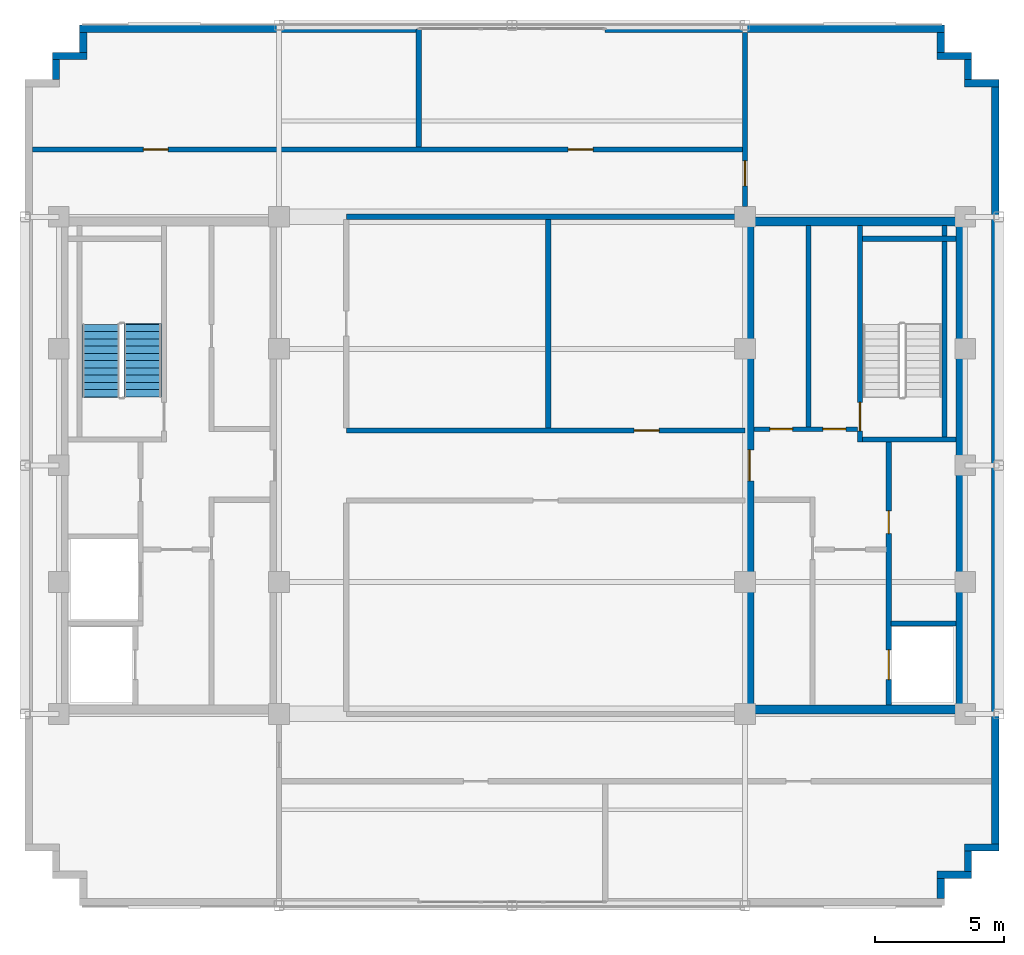
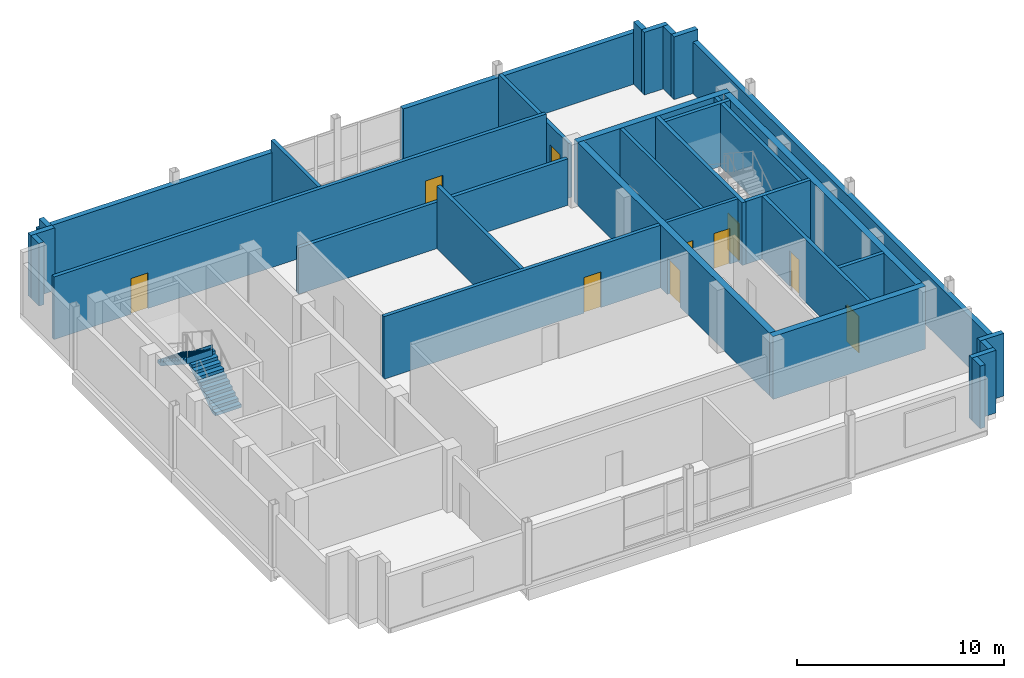
# One storey, part 3 of 10: 32 walls, 10 doors, 2 stair flights, 10 openings, 1 element without a shape of its own.
"""IFC4 building model written with IfcOpenShell, lengths in metres."""

from ifc_helpers import new_model, si_unit, direction, frame, frame_2d, origin, place, context, subcontext, project, spatial, polyline, rectangle, outline, extrude, source, transform, mapped, material, layer, layer_set, type_object, type_shapes, element, fill, aggregate, save


model = new_model("IFC4")

# Units and contexts
model_context = context("Model", 3, precision=1e-05, world=origin(), true_north=direction((0.0, 1.0)))
body_context = subcontext(model_context, "Body", "Model", "MODEL_VIEW")
ifc_project = project(units=[si_unit("LENGTHUNIT", "METRE"), si_unit("AREAUNIT", "SQUARE_METRE"), si_unit("VOLUMEUNIT", "CUBIC_METRE"), si_unit("PLANEANGLEUNIT", "RADIAN"), si_unit("MASSUNIT", "GRAM", prefix="KILO")], contexts=[model_context])

# Site, building, storey
site_placement = place(None, origin())
site = spatial("IfcSite", under=ifc_project, at=site_placement, CompositionType="ELEMENT")
building_placement = place(site_placement, origin())
building = spatial("IfcBuilding", under=site, at=building_placement, Name="Nuvemarco Arch Tower", CompositionType="ELEMENT")
storey_placement = place(building_placement, frame((0.0, 0.0, 295.14990234375)))
storey = spatial("IfcBuildingStorey", under=building, at=storey_placement, Name="L78", CompositionType="ELEMENT", Elevation=295.14990234375)

# Walls
ifc_material_1 = material(Name="Precast concrete C45/55", Category="concrete")
ifc_layer_1 = layer(ifc_material_1, 0.280029296875, Name="EW-CRN-280")
ifc_layer_set_1 = layer_set([ifc_layer_1], Name="Precast concrete C45/55")
wall_type_1 = type_object("IfcWallType", Name="EW-CRN-280", PredefinedType="STANDARD", material=ifc_layer_set_1)
wall_1_placement = place(storey_placement, frame((16.56005859375, -16.72412109375, 0.0), z_axis=(0.0, 0.0, 1.0), x_axis=(0.0, 1.0, 0.0)))
element("IfcWall", 1, at=wall_1_placement, inside=storey, type_object=wall_type_1, Name="L78 exterior precast facade wall 2", PredefinedType="STANDARD", context=body_context, shape_type="SweptSolid", body=[
    extrude(rectangle(XDim=0.778076171875, YDim=0.280029296875, at=frame_2d((0.38916015625, 0.0))), origin(), (0.0, 0.0, 1.0), 3.690185546875),
])
wall_2_placement = place(storey_placement, frame((16.419921875, -15.81005859375, 0.0), z_axis=(0.0, 0.0, 1.0), x_axis=(1.0, 0.0, 0.0)))
element("IfcWall", 2, at=wall_2_placement, inside=storey, type_object=wall_type_1, Name="L78 exterior precast facade wall 3", PredefinedType="STANDARD", context=body_context, shape_type="SweptSolid", body=[
    extrude(rectangle(XDim=1.330078125, YDim=0.280029296875, at=frame_2d((0.6650390625, 0.0))), origin(), (0.0, 0.0, 1.0), 3.690185546875),
])
wall_3_placement = place(storey_placement, frame((17.610107421875, -15.674072265625, 0.0), z_axis=(0.0, 0.0, 1.0), x_axis=(0.0, 1.0, 0.0)))
element("IfcWall", 3, at=wall_3_placement, inside=storey, type_object=wall_type_1, Name="L78 exterior precast facade wall 4", PredefinedType="STANDARD", context=body_context, shape_type="SweptSolid", body=[
    extrude(rectangle(XDim=0.778076171875, YDim=0.280029296875, at=frame_2d((0.38916015625, 0.0))), origin(), (0.0, 0.0, 1.0), 3.690185546875),
])
wall_4_placement = place(storey_placement, frame((17.469970703125, -14.760009765625, 0.0), z_axis=(0.0, 0.0, 1.0), x_axis=(1.0, 0.0, 0.0)))
element("IfcWall", 4, at=wall_4_placement, inside=storey, type_object=wall_type_1, Name="L78 exterior precast facade wall 5", PredefinedType="STANDARD", context=body_context, shape_type="SweptSolid", body=[
    extrude(rectangle(XDim=1.330078125, YDim=0.280029296875, at=frame_2d((0.6650390625, 0.0))), origin(), (0.0, 0.0, 1.0), 3.690185546875),
])
wall_5_placement = place(storey_placement, frame((18.659912109375, -14.6240234375, 0.0), z_axis=(0.0, 0.0, 1.0), x_axis=(0.0, 1.0, 0.0)))
element("IfcWall", 5, at=wall_5_placement, inside=storey, type_object=wall_type_1, Name="L78 exterior precast facade wall 6", PredefinedType="STANDARD", context=body_context, shape_type="SweptSolid", body=[
    extrude(rectangle(XDim=29.248046875, YDim=0.280029296875, at=frame_2d((14.6240234375, 0.0))), origin(), (0.0, 0.0, 1.0), 3.03515625),
])
wall_6_placement = place(storey_placement, frame((17.469970703125, 14.760009765625, 0.0), z_axis=(0.0, 0.0, 1.0), x_axis=(1.0, 0.0, 0.0)))
element("IfcWall", 6, at=wall_6_placement, inside=storey, type_object=wall_type_1, Name="L78 exterior precast facade wall 7", PredefinedType="STANDARD", context=body_context, shape_type="SweptSolid", body=[
    extrude(rectangle(XDim=1.330078125, YDim=0.280029296875, at=frame_2d((0.6650390625, 0.0))), origin(), (0.0, 0.0, 1.0), 3.690185546875),
])
wall_7_placement = place(storey_placement, frame((17.610107421875, 14.89599609375, 0.0), z_axis=(0.0, 0.0, 1.0), x_axis=(0.0, 1.0, 0.0)))
element("IfcWall", 7, at=wall_7_placement, inside=storey, type_object=wall_type_1, Name="L78 exterior precast facade wall 8", PredefinedType="STANDARD", context=body_context, shape_type="SweptSolid", body=[
    extrude(rectangle(XDim=0.778076171875, YDim=0.280029296875, at=frame_2d((0.38916015625, 0.0))), origin(), (0.0, 0.0, 1.0), 3.690185546875),
])
wall_8_placement = place(storey_placement, frame((16.419921875, 15.81005859375, 0.0), z_axis=(0.0, 0.0, 1.0), x_axis=(1.0, 0.0, 0.0)))
element("IfcWall", 8, at=wall_8_placement, inside=storey, type_object=wall_type_1, Name="L78 exterior precast facade wall 9", PredefinedType="STANDARD", context=body_context, shape_type="SweptSolid", body=[
    extrude(rectangle(XDim=1.330078125, YDim=0.280029296875, at=frame_2d((0.6650390625, 0.0))), origin(), (0.0, 0.0, 1.0), 3.690185546875),
])
wall_9_placement = place(storey_placement, frame((16.56005859375, 15.946044921875, 0.0), z_axis=(0.0, 0.0, 1.0), x_axis=(0.0, 1.0, 0.0)))
element("IfcWall", 9, at=wall_9_placement, inside=storey, type_object=wall_type_1, Name="L78 exterior precast facade wall 10", PredefinedType="STANDARD", context=body_context, shape_type="SweptSolid", body=[
    extrude(rectangle(XDim=0.778076171875, YDim=0.280029296875, at=frame_2d((0.38916015625, 0.0))), origin(), (0.0, 0.0, 1.0), 3.690185546875),
])
for number, where, z_axis, x_axis, name in (
    (10, (-16.699951171875, 16.860107421875, 0.0), (0.0, 0.0, 1.0), (1.0, 0.0, 0.0), "L78 exterior precast pier wall north left"),
    (11, (3.60009765625, 16.860107421875, 0.0), (0.0, 0.0, 1.0), (1.0, 0.0, 0.0), "L78 exterior precast pier wall north right"),
):
    element("IfcWall", number, at=place(storey_placement, frame(where, z_axis=z_axis, x_axis=x_axis)), inside=storey, type_object=wall_type_1, Name=name, PredefinedType="STANDARD", context=body_context, shape_type="SweptSolid", body=[
        extrude(rectangle(XDim=13.099853515625, YDim=0.280029296875, at=frame_2d((6.5498046875, 0.0))), origin(), (0.0, 0.0, 1.0), 3.03515625),
    ])
wall_10_placement = place(storey_placement, frame((-16.56005859375, 15.946044921875, 0.0), z_axis=(0.0, 0.0, 1.0), x_axis=(0.0, 1.0, 0.0)))
element("IfcWall", 12, at=wall_10_placement, inside=storey, type_object=wall_type_1, Name="L78 exterior precast facade wall 12", PredefinedType="STANDARD", context=body_context, shape_type="SweptSolid", body=[
    extrude(rectangle(XDim=0.778076171875, YDim=0.280029296875, at=frame_2d((0.38916015625, 0.0))), origin(), (0.0, 0.0, 1.0), 3.690185546875),
])
wall_11_placement = place(storey_placement, frame((-17.75, 15.81005859375, 0.0), z_axis=(0.0, 0.0, 1.0), x_axis=(1.0, 0.0, 0.0)))
element("IfcWall", 13, at=wall_11_placement, inside=storey, type_object=wall_type_1, Name="L78 exterior precast facade wall 13", PredefinedType="STANDARD", context=body_context, shape_type="SweptSolid", body=[
    extrude(rectangle(XDim=1.330078125, YDim=0.280029296875, at=frame_2d((0.6650390625, 0.0))), origin(), (0.0, 0.0, 1.0), 3.690185546875),
])
wall_12_placement = place(storey_placement, frame((-17.610107421875, 14.89599609375, 0.0), z_axis=(0.0, 0.0, 1.0), x_axis=(0.0, 1.0, 0.0)))
element("IfcWall", 14, at=wall_12_placement, inside=storey, type_object=wall_type_1, Name="L78 exterior precast facade wall 14", PredefinedType="STANDARD", context=body_context, shape_type="SweptSolid", body=[
    extrude(rectangle(XDim=0.778076171875, YDim=0.280029296875, at=frame_2d((0.38916015625, 0.0))), origin(), (0.0, 0.0, 1.0), 3.690185546875),
])
ifc_material_2 = material(Name="Concrete C50/60", Category="concrete")
ifc_layer_2 = layer(ifc_material_2, 0.35009765625, Name="WL-CORE-350")
ifc_layer_set_2 = layer_set([ifc_layer_2], Name="Concrete C50/60")
wall_type_2 = type_object("IfcWallType", Name="WL-CORE-350", PredefinedType="SHEAR", material=ifc_layer_set_2)
for number, where, z_axis, x_axis, name in (
    (15, (9.0, -9.425048828125, 0.0), (0.0, 0.0, 1.0), (1.0, 0.0, 0.0), "L78 E-core shear wall S"),
    (16, (9.0, 9.425048828125, 0.0), (0.0, 0.0, 1.0), (1.0, 0.0, 0.0), "L78 E-core shear wall N"),
):
    element("IfcWall", number, at=place(storey_placement, frame(where, z_axis=z_axis, x_axis=x_axis)), inside=storey, type_object=wall_type_2, Name=name, PredefinedType="SHEAR", context=body_context, shape_type="SweptSolid", body=[
        extrude(rectangle(XDim=8.5, YDim=0.35009765625, at=frame_2d((4.25, 0.0))), origin(), (0.0, 0.0, 1.0), 3.7001953125),
    ])

# Wall, opening, door
wall_13_placement = place(storey_placement, frame((9.175048828125, -9.2548828125, 0.0), z_axis=(0.0, 0.0, 1.0), x_axis=(0.0, 1.0, 0.0)))
wall_13 = element("IfcWall", 17, at=wall_13_placement, inside=storey, type_object=wall_type_2, Name="L78 E-core shear wall W", PredefinedType="SHEAR", context=body_context, shape_type="SweptSolid", body=[
    extrude(rectangle(XDim=18.509765625, YDim=0.35009765625, at=frame_2d((9.2548828125, 0.0))), origin(), (0.0, 0.0, 1.0), 3.7001953125),
])
opening_1_placement = place(wall_13_placement, frame((8.655029296875, 0.0, 0.0)))
opening_1 = element("IfcOpeningElement", 18, at=opening_1_placement, cuts=wall_13, Name="Opening FD-2", PredefinedType="OPENING", context=body_context, shape_type="SweptSolid", body=[
    extrude(rectangle(XDim=1.199951171875, YDim=2.14990234375, at=frame_2d((0.60009765625, 1.074951171875))), frame((0.0, 0.18505859375, 0.0), z_axis=(0.0, -1.0, 0.0), x_axis=(1.0, 0.0, 0.0)), (0.0, 0.0, 1.0), 0.3701171875),
])
ifc_material_3 = material(Name="Anodised steel fire door", Category="steel")
door_type_1 = type_object("IfcDoorType", Name="DR-FFLOB-FD", OperationType="NOTDEFINED", PredefinedType="DOOR", material=ifc_material_3)
shared_shape_1 = source(origin(), body_context, "Body", "SweptSolid", [
    extrude(rectangle(XDim=1.199951171875, YDim=2.14990234375, at=frame_2d((0.60009765625, 1.074951171875))), frame((0.0, 0.02490234375, 0.0), z_axis=(0.0, -1.0, 0.0), x_axis=(1.0, 0.0, 0.0)), (0.0, 0.0, 1.0), 0.050048828125),
])
type_shapes(door_type_1, [shared_shape_1])
door_1_placement = place(opening_1_placement, origin())
door_1 = element("IfcDoor", 19, at=door_1_placement, inside=storey, type_object=door_type_1, Name="L78 door FD-L78-ECORE-W", OperationType="SINGLE_SWING_LEFT", OverallHeight=2.14990234375, OverallWidth=1.199951171875, PredefinedType="DOOR", context=body_context, shape_type="MappedRepresentation", body=[
    mapped(shared_shape_1, transform((0.0, 0.0, 0.0), scale=1.0)),
])
fill(opening_1, door_1)

# Wall
wall_14_placement = place(storey_placement, frame((17.324951171875, -9.2548828125, 0.0), z_axis=(0.0, 0.0, 1.0), x_axis=(0.0, 1.0, 0.0)))
element("IfcWall", 20, at=wall_14_placement, inside=storey, type_object=wall_type_2, Name="L78 E-core shear wall E", PredefinedType="SHEAR", context=body_context, shape_type="SweptSolid", body=[
    extrude(rectangle(XDim=18.509765625, YDim=0.35009765625, at=frame_2d((9.2548828125, 0.0))), origin(), (0.0, 0.0, 1.0), 3.7001953125),
])

# Wall, openings, doors
ifc_material_4 = material(Name="Fire-rated gypsum drywall partition")
ifc_layer_3 = layer(ifc_material_4, 0.179931640625, Name="WL-CORR-180")
ifc_layer_set_3 = layer_set([ifc_layer_3], Name="Fire-rated gypsum drywall partition")
wall_type_3 = type_object("IfcWallType", Name="WL-CORR-180", PredefinedType="PARTITIONING", material=ifc_layer_set_3)
wall_15_placement = place(storey_placement, frame((9.344970703125, 1.39990234375, 0.0), z_axis=(0.0, 0.0, 1.0), x_axis=(1.0, 0.0, 0.0)))
wall_15 = element("IfcWall", 21, at=wall_15_placement, inside=storey, type_object=wall_type_3, Name="L78 interior wall IW-L78-EK-S", PredefinedType="PARTITIONING", context=body_context, shape_type="SweptSolid", body=[
    extrude(rectangle(XDim=4.0, YDim=0.179931640625, at=frame_2d((2.0, 0.0))), origin(), (0.0, 0.0, 1.0), 3.690185546875),
])
opening_2_placement = place(wall_15_placement, frame((0.614990234375, 0.0, 0.0)))
opening_2 = element("IfcOpeningElement", 22, at=opening_2_placement, cuts=wall_15, Name="Opening FD-4", PredefinedType="OPENING", context=body_context, shape_type="SweptSolid", body=[
    extrude(rectangle(XDim=0.8798828125, YDim=2.10009765625, at=frame_2d((0.43994140625, 1.050048828125))), frame((0.0, 0.099853515625, 0.0), z_axis=(0.0, -1.0, 0.0), x_axis=(1.0, 0.0, 0.0)), (0.0, 0.0, 1.0), 0.199951171875),
])
opening_3_placement = place(wall_15_placement, frame((2.6650390625, 0.0, 0.0)))
opening_3 = element("IfcOpeningElement", 23, at=opening_3_placement, cuts=wall_15, Name="Opening FD-4", PredefinedType="OPENING", context=body_context, shape_type="SweptSolid", body=[
    extrude(rectangle(XDim=0.8798828125, YDim=2.10009765625, at=frame_2d((0.43994140625, 1.050048828125))), frame((0.0, 0.099853515625, 0.0), z_axis=(0.0, -1.0, 0.0), x_axis=(1.0, 0.0, 0.0)), (0.0, 0.0, 1.0), 0.199951171875),
])
door_type_2 = type_object("IfcDoorType", Name="DR-RISER-FD", OperationType="NOTDEFINED", PredefinedType="DOOR", material=ifc_material_3)
shared_shape_2 = source(origin(), body_context, "Body", "SweptSolid", [
    extrude(rectangle(XDim=0.8798828125, YDim=2.10009765625, at=frame_2d((0.43994140625, 1.050048828125))), frame((0.0, 0.02490234375, 0.0), z_axis=(0.0, -1.0, 0.0), x_axis=(1.0, 0.0, 0.0)), (0.0, 0.0, 1.0), 0.050048828125),
])
type_shapes(door_type_2, [shared_shape_2])
door_2_placement = place(opening_2_placement, origin())
door_2 = element("IfcDoor", 24, at=door_2_placement, inside=storey, type_object=door_type_2, Name="L78 door FD-L78-EK2A", OperationType="SINGLE_SWING_RIGHT", OverallHeight=2.10009765625, OverallWidth=0.8798828125, PredefinedType="DOOR", context=body_context, shape_type="MappedRepresentation", body=[
    mapped(shared_shape_2, transform((0.0, 0.0, 0.0), scale=1.0)),
])
fill(opening_2, door_2)
door_3_placement = place(opening_3_placement, origin())
door_3 = element("IfcDoor", 25, at=door_3_placement, inside=storey, type_object=door_type_2, Name="L78 door FD-L78-EK2B", OperationType="SINGLE_SWING_LEFT", OverallHeight=2.10009765625, OverallWidth=0.8798828125, PredefinedType="DOOR", context=body_context, shape_type="MappedRepresentation", body=[
    mapped(shared_shape_2, transform((0.0, 0.0, 0.0), scale=1.0)),
])
fill(opening_3, door_3)

# Wall
wall_16_placement = place(storey_placement, frame((11.449951171875, 1.489990234375, 0.0), z_axis=(0.0, 0.0, 1.0), x_axis=(0.0, 1.0, 0.0)))
element("IfcWall", 26, at=wall_16_placement, inside=storey, type_object=wall_type_3, Name="L78 interior wall IW-L78-EK2", PredefinedType="PARTITIONING", context=body_context, shape_type="SweptSolid", body=[
    extrude(rectangle(XDim=7.764892578125, YDim=0.179931640625, at=frame_2d((3.88232421875, 0.0))), origin(), (0.0, 0.0, 1.0), 3.690185546875),
])

# Wall, opening, door
ifc_layer_4 = layer(ifc_material_1, 0.199951171875, Name="WL-PLANT-200")
ifc_layer_set_4 = layer_set([ifc_layer_4], Name="Precast concrete C45/55")
wall_type_4 = type_object("IfcWallType", Name="WL-PLANT-200", PredefinedType="STANDARD", material=ifc_layer_set_4)
wall_17_placement = place(storey_placement, frame((-6.39990234375, 1.35009765625, 0.0), z_axis=(0.0, 0.0, 1.0), x_axis=(1.0, 0.0, 0.0)))
wall_17 = element("IfcWall", 27, at=wall_17_placement, inside=storey, type_object=wall_type_4, Name="L78 interior wall IW-L78-004", PredefinedType="STANDARD", context=body_context, shape_type="SweptSolid", body=[
    extrude(rectangle(XDim=15.39990234375, YDim=0.199951171875, at=frame_2d((7.699951171875, 0.0))), origin(), (0.0, 0.0, 1.0), 3.690185546875),
])
opening_4_placement = place(wall_17_placement, frame((11.1201171875, 0.0, 0.0)))
opening_4 = element("IfcOpeningElement", 28, at=opening_4_placement, cuts=wall_17, Name="Opening FD-5", PredefinedType="OPENING", context=body_context, shape_type="SweptSolid", body=[
    extrude(rectangle(XDim=0.9599609375, YDim=2.10009765625, at=frame_2d((0.47998046875, 1.050048828125))), frame((0.0, 0.10986328125, 0.0), z_axis=(0.0, -1.0, 0.0), x_axis=(1.0, 0.0, 0.0)), (0.0, 0.0, 1.0), 0.219970703125),
])
ifc_material_5 = material(Name="Timber fire door", Category="wood")
door_type_3 = type_object("IfcDoorType", Name="DR-CORR-FD", OperationType="NOTDEFINED", PredefinedType="DOOR", material=ifc_material_5)
shared_shape_3 = source(origin(), body_context, "Body", "SweptSolid", [
    extrude(rectangle(XDim=0.9599609375, YDim=2.10009765625, at=frame_2d((0.47998046875, 1.050048828125))), frame((0.0, 0.02490234375, 0.0), z_axis=(0.0, -1.0, 0.0), x_axis=(1.0, 0.0, 0.0)), (0.0, 0.0, 1.0), 0.050048828125),
])
type_shapes(door_type_3, [shared_shape_3])
door_4_placement = place(opening_4_placement, origin())
door_4 = element("IfcDoor", 29, at=door_4_placement, inside=storey, type_object=door_type_3, Name="L78 door DR-L78-CRN_PUMP2", OperationType="SINGLE_SWING_RIGHT", OverallHeight=2.10009765625, OverallWidth=0.9599609375, PredefinedType="DOOR", context=body_context, shape_type="MappedRepresentation", body=[
    mapped(shared_shape_3, transform((0.0, 0.0, 0.0), scale=1.0)),
])
fill(opening_4, door_4)

# Wall
wall_18_placement = place(storey_placement, frame((-6.39990234375, 9.60009765625, 0.0), z_axis=(0.0, 0.0, 1.0), x_axis=(1.0, 0.0, 0.0)))
element("IfcWall", 30, at=wall_18_placement, inside=storey, type_object=wall_type_4, Name="L78 interior wall IW-L78-005", PredefinedType="STANDARD", context=body_context, shape_type="SweptSolid", body=[
    extrude(rectangle(XDim=15.00390625, YDim=0.199951171875, at=frame_2d((7.501953125, 0.0))), origin(), (0.0, 0.0, 1.0), 2.735107421875),
])

# Wall, openings, doors
wall_19_placement = place(storey_placement, frame((-18.52001953125, 12.199951171875, 0.0), z_axis=(0.0, 0.0, 1.0), x_axis=(1.0, 0.0, 0.0)))
wall_19 = element("IfcWall", 31, at=wall_19_placement, inside=storey, type_object=wall_type_4, Name="L78 interior wall IW-L78-006", PredefinedType="STANDARD", context=body_context, shape_type="SweptSolid", body=[
    extrude(rectangle(XDim=27.424072265625, YDim=0.199951171875, at=frame_2d((13.7119140625, 0.0))), origin(), (0.0, 0.0, 1.0), 3.690185546875),
])
opening_5_placement = place(wall_19_placement, frame((20.69189453125, 0.0, 0.0)))
opening_5 = element("IfcOpeningElement", 32, at=opening_5_placement, cuts=wall_19, Name="Opening FD-5", PredefinedType="OPENING", context=body_context, shape_type="SweptSolid", body=[
    extrude(rectangle(XDim=0.9599609375, YDim=2.10009765625, at=frame_2d((0.47998046875, 1.050048828125))), frame((0.0, 0.10986328125, 0.0), z_axis=(0.0, -1.0, 0.0), x_axis=(1.0, 0.0, 0.0)), (0.0, 0.0, 1.0), 0.219970703125),
])
opening_6_placement = place(wall_19_placement, frame((4.280029296875, 0.0, 0.0)))
opening_6 = element("IfcOpeningElement", 33, at=opening_6_placement, cuts=wall_19, Name="Opening FD-5", PredefinedType="OPENING", context=body_context, shape_type="SweptSolid", body=[
    extrude(rectangle(XDim=0.9599609375, YDim=2.10009765625, at=frame_2d((0.47998046875, 1.050048828125))), frame((0.0, 0.10986328125, 0.0), z_axis=(0.0, -1.0, 0.0), x_axis=(1.0, 0.0, 0.0)), (0.0, 0.0, 1.0), 0.219970703125),
])
door_5_placement = place(opening_5_placement, origin())
door_5 = element("IfcDoor", 34, at=door_5_placement, inside=storey, type_object=door_type_3, Name="L78 door DR-L78-CRN_N2", OperationType="SINGLE_SWING_RIGHT", OverallHeight=2.10009765625, OverallWidth=0.9599609375, PredefinedType="DOOR", context=body_context, shape_type="MappedRepresentation", body=[
    mapped(shared_shape_3, transform((0.0, 0.0, 0.0), scale=1.0)),
])
fill(opening_5, door_5)
door_6_placement = place(opening_6_placement, origin())
door_6 = element("IfcDoor", 35, at=door_6_placement, inside=storey, type_object=door_type_3, Name="L78 door DR-L78-CRN_N1", OperationType="SINGLE_SWING_RIGHT", OverallHeight=2.10009765625, OverallWidth=0.9599609375, PredefinedType="DOOR", context=body_context, shape_type="MappedRepresentation", body=[
    mapped(shared_shape_3, transform((0.0, 0.0, 0.0), scale=1.0)),
])
fill(opening_6, door_6)

# Walls
wall_20_placement = place(storey_placement, frame((-3.60009765625, 12.2958984375, 0.0), z_axis=(0.0, 0.0, 1.0), x_axis=(0.0, 1.0, 0.0)))
element("IfcWall", 36, at=wall_20_placement, inside=storey, type_object=wall_type_4, Name="L78 interior wall IW-L78-010", PredefinedType="STANDARD", context=body_context, shape_type="SweptSolid", body=[
    extrude(rectangle(XDim=4.549072265625, YDim=0.199951171875, at=frame_2d((2.2744140625, 0.0))), origin(), (0.0, 0.0, 1.0), 3.690185546875),
])
wall_21_placement = place(storey_placement, frame((1.39990234375, 1.446044921875, 0.0), z_axis=(0.0, 0.0, 1.0), x_axis=(0.0, 1.0, 0.0)))
element("IfcWall", 37, at=wall_21_placement, inside=storey, type_object=wall_type_4, Name="L78 interior wall IW-L78-011", PredefinedType="STANDARD", context=body_context, shape_type="SweptSolid", body=[
    extrude(rectangle(XDim=8.057861328125, YDim=0.199951171875, at=frame_2d((4.02880859375, 0.0))), origin(), (0.0, 0.0, 1.0), 3.690185546875),
])

# Wall, opening, door
wall_22_placement = place(storey_placement, frame((9.0, 9.99609375, 0.0), z_axis=(0.0, 0.0, 1.0), x_axis=(0.0, 1.0, 0.0)))
wall_22 = element("IfcWall", 38, at=wall_22_placement, inside=storey, type_object=wall_type_4, Name="L78 interior wall IW-L78-013", PredefinedType="STANDARD", context=body_context, shape_type="SweptSolid", body=[
    extrude(rectangle(XDim=6.723876953125, YDim=0.199951171875, at=frame_2d((3.36181640625, 0.0))), origin(), (0.0, 0.0, 1.0), 3.22216796875),
])
opening_7_placement = place(wall_22_placement, frame((0.800048828125, 0.0, 0.0)))
opening_7 = element("IfcOpeningElement", 39, at=opening_7_placement, cuts=wall_22, Name="Opening FD-5", PredefinedType="OPENING", context=body_context, shape_type="SweptSolid", body=[
    extrude(rectangle(XDim=0.9599609375, YDim=2.10009765625, at=frame_2d((0.47998046875, 1.050048828125))), frame((0.0, 0.10986328125, 0.0), z_axis=(0.0, -1.0, 0.0), x_axis=(1.0, 0.0, 0.0)), (0.0, 0.0, 1.0), 0.219970703125),
])
door_7_placement = place(opening_7_placement, origin())
door_7 = element("IfcDoor", 40, at=door_7_placement, inside=storey, type_object=door_type_3, Name="L78 door DR-L78-CRN_NE", OperationType="SINGLE_SWING_LEFT", OverallHeight=2.10009765625, OverallWidth=0.9599609375, PredefinedType="DOOR", context=body_context, shape_type="MappedRepresentation", body=[
    mapped(shared_shape_3, transform((0.0, 0.0, 0.0), scale=1.0)),
])
fill(opening_7, door_7)

ifc_layer_5 = layer(ifc_material_2, 0.199951171875, Name="WL-SHAFT-220")
ifc_layer_set_5 = layer_set([ifc_layer_5], Name="Concrete C50/60")
wall_type_5 = type_object("IfcWallType", Name="WL-SHAFT-220", PredefinedType="SHEAR", material=ifc_layer_set_5)
wall_23_placement = place(storey_placement, frame((13.43994140625, 0.89990234375, 0.0), z_axis=(0.0, 0.0, 1.0), x_axis=(0.0, 1.0, 0.0)))
wall_23 = element("IfcWall", 41, at=wall_23_placement, inside=storey, type_object=wall_type_5, Name="L78 structural shaft wall SW-L78-E-ST2W", PredefinedType="SHEAR", context=body_context, shape_type="SweptSolid", body=[
    extrude(rectangle(XDim=8.35498046875, YDim=0.199951171875, at=frame_2d((4.177490234375, 0.0))), origin(), (0.0, 0.0, 1.0), 3.7001953125),
])
opening_8_placement = place(wall_23_placement, frame((0.429931640625, 0.0, 0.0)))
opening_8 = element("IfcOpeningElement", 42, at=opening_8_placement, cuts=wall_23, Name="Opening FD-1", PredefinedType="OPENING", context=body_context, shape_type="SweptSolid", body=[
    extrude(rectangle(XDim=1.10009765625, YDim=2.14990234375, at=frame_2d((0.550048828125, 1.074951171875))), frame((0.0, 0.10986328125, 0.0), z_axis=(0.0, -1.0, 0.0), x_axis=(1.0, 0.0, 0.0)), (0.0, 0.0, 1.0), 0.219970703125),
])
door_type_4 = type_object("IfcDoorType", Name="DR-STAIR-FD", OperationType="NOTDEFINED", PredefinedType="DOOR", material=ifc_material_3)
shared_shape_4 = source(origin(), body_context, "Body", "SweptSolid", [
    extrude(rectangle(XDim=1.10009765625, YDim=2.14990234375, at=frame_2d((0.550048828125, 1.074951171875))), frame((0.0, 0.02490234375, 0.0), z_axis=(0.0, -1.0, 0.0), x_axis=(1.0, 0.0, 0.0)), (0.0, 0.0, 1.0), 0.050048828125),
])
type_shapes(door_type_4, [shared_shape_4])
door_8_placement = place(opening_8_placement, origin())
door_8 = element("IfcDoor", 43, at=door_8_placement, inside=storey, type_object=door_type_4, Name="L78 door FD-L78-ST2", OperationType="SINGLE_SWING_RIGHT", OverallHeight=2.14990234375, OverallWidth=1.10009765625, PredefinedType="DOOR", context=body_context, shape_type="MappedRepresentation", body=[
    mapped(shared_shape_4, transform((0.0, 0.0, 0.0), scale=1.0)),
])
fill(opening_8, door_8)

# Walls
for number, where, z_axis, x_axis, name in (
    (44, (13.534912109375, 1.0, 0.0), (0.0, 0.0, 1.0), (1.0, 0.0, 0.0), "L78 structural shaft wall SW-L78-E-ST2S"),
    (45, (13.534912109375, 8.75, 0.0), (0.0, 0.0, 1.0), (1.0, 0.0, 0.0), "L78 structural shaft wall SW-L78-E-ST2N"),
):
    element("IfcWall", number, at=place(storey_placement, frame(where, z_axis=z_axis, x_axis=x_axis)), inside=storey, type_object=wall_type_5, Name=name, PredefinedType="SHEAR", context=body_context, shape_type="SweptSolid", body=[
        extrude(rectangle(XDim=3.6201171875, YDim=0.199951171875, at=frame_2d((1.81005859375, 0.0))), origin(), (0.0, 0.0, 1.0), 3.7001953125),
    ])
wall_24_placement = place(storey_placement, frame((16.699951171875, 1.094970703125, 0.0), z_axis=(0.0, 0.0, 1.0), x_axis=(0.0, 1.0, 0.0)))
element("IfcWall", 46, at=wall_24_placement, inside=storey, type_object=wall_type_5, Name="L78 structural shaft wall SW-L78-E-ST2E", PredefinedType="SHEAR", context=body_context, shape_type="SweptSolid", body=[
    extrude(rectangle(XDim=8.159912109375, YDim=0.199951171875, at=frame_2d((4.080078125, 0.0))), origin(), (0.0, 0.0, 1.0), 3.7001953125),
])

# Wall, openings, doors
wall_25_placement = place(storey_placement, frame((14.550048828125, -9.2548828125, 0.0), z_axis=(0.0, 0.0, 1.0), x_axis=(0.0, 1.0, 0.0)))
wall_25 = element("IfcWall", 47, at=wall_25_placement, inside=storey, type_object=wall_type_5, Name="L78 structural shaft wall SW-L78-E-SHW", PredefinedType="SHEAR", context=body_context, shape_type="SweptSolid", body=[
    extrude(rectangle(XDim=10.159912109375, YDim=0.199951171875, at=frame_2d((5.080078125, 0.0))), origin(), (0.0, 0.0, 1.0), 3.7001953125),
])
opening_9_placement = place(wall_25_placement, frame((6.614990234375, 0.0, 0.0)))
opening_9 = element("IfcOpeningElement", 48, at=opening_9_placement, cuts=wall_25, Name="Opening FD-4", PredefinedType="OPENING", context=body_context, shape_type="SweptSolid", body=[
    extrude(rectangle(XDim=0.8798828125, YDim=2.10009765625, at=frame_2d((0.43994140625, 1.050048828125))), frame((0.0, 0.10986328125, 0.0), z_axis=(0.0, -1.0, 0.0), x_axis=(1.0, 0.0, 0.0)), (0.0, 0.0, 1.0), 0.219970703125),
])
opening_10_placement = place(wall_25_placement, frame((0.97998046875, 0.0, 0.0)))
opening_10 = element("IfcOpeningElement", 49, at=opening_10_placement, cuts=wall_25, Name="Opening LD-2", PredefinedType="OPENING", context=body_context, shape_type="SweptSolid", body=[
    extrude(rectangle(XDim=1.14990234375, YDim=2.14990234375, at=frame_2d((0.574951171875, 1.074951171875))), frame((0.0, 0.10986328125, 0.0), z_axis=(0.0, -1.0, 0.0), x_axis=(1.0, 0.0, 0.0)), (0.0, 0.0, 1.0), 0.219970703125),
])
door_9_placement = place(opening_9_placement, origin())
door_9 = element("IfcDoor", 50, at=door_9_placement, inside=storey, type_object=door_type_2, Name="L78 door FD-L78-ERIS", OperationType="SINGLE_SWING_RIGHT", OverallHeight=2.10009765625, OverallWidth=0.8798828125, PredefinedType="DOOR", context=body_context, shape_type="MappedRepresentation", body=[
    mapped(shared_shape_2, transform((0.0, 0.0, 0.0), scale=1.0)),
])
fill(opening_9, door_9)
ifc_material_6 = material(Name="Stainless steel lift door", Category="steel")
door_type_5 = type_object("IfcDoorType", Name="DR-LIFT-FIRE", OperationType="DOUBLE_DOOR_SLIDING", PredefinedType="DOOR", material=ifc_material_6)
shared_shape_5 = source(origin(), body_context, "Body", "SweptSolid", [
    extrude(rectangle(XDim=1.14990234375, YDim=2.14990234375, at=frame_2d((0.574951171875, 1.074951171875))), frame((0.0, 0.02490234375, 0.0), z_axis=(0.0, -1.0, 0.0), x_axis=(1.0, 0.0, 0.0)), (0.0, 0.0, 1.0), 0.050048828125),
])
type_shapes(door_type_5, [shared_shape_5])
door_10_placement = place(opening_10_placement, origin())
door_10 = element("IfcDoor", 51, at=door_10_placement, inside=storey, type_object=door_type_5, Name="L78 Lift landing sliding door FFL-2", OperationType="DOUBLE_DOOR_SLIDING", OverallHeight=2.14990234375, OverallWidth=1.14990234375, PredefinedType="DOOR", context=body_context, shape_type="MappedRepresentation", body=[
    mapped(shared_shape_5, transform((0.0, 0.0, 0.0), scale=1.0)),
])
fill(opening_10, door_10)

# Wall
wall_26_placement = place(storey_placement, frame((14.64501953125, -6.10009765625, 0.0), z_axis=(0.0, 0.0, 1.0), x_axis=(1.0, 0.0, 0.0)))
element("IfcWall", 52, at=wall_26_placement, inside=storey, type_object=wall_type_5, Name="L78 structural shaft wall SW-L78-E-SH1", PredefinedType="SHEAR", context=body_context, shape_type="SweptSolid", body=[
    extrude(rectangle(XDim=2.510009765625, YDim=0.199951171875, at=frame_2d((1.2548828125, 0.0))), origin(), (0.0, 0.0, 1.0), 3.7001953125),
])

# Stair, stair flights
stair_type = type_object("IfcStairType", Name="ST-CORE-22R", PredefinedType="HALF_TURN_STAIR", material=ifc_material_1)
stair_placement = place(storey_placement, origin())
stair = element("IfcStair", 53, at=stair_placement, inside=storey, type_object=stair_type, Name="L78 Protected Exit Stair ST-1", PredefinedType="HALF_TURN_STAIR")
stair_flight_type = type_object("IfcStairFlightType", Name="SF-CORE-22R", PredefinedType="STRAIGHT", material=ifc_material_1)
stair_flight_1_placement = place(storey_placement, frame((-14.264892578125, 2.64990234375, 0.0), z_axis=(0.0, 0.0, 1.0), x_axis=(0.0, 1.0, 0.0)))
stair_flight_1 = element("IfcStairFlight", 54, at=stair_flight_1_placement, type_object=stair_flight_type, Name="ST-22R flight 1", NumberOfRisers=11, NumberOfTreads=10, PredefinedType="STRAIGHT", RiserHeight=0.181818182, TreadLength=0.28, context=body_context, shape_type="SweptSolid", body=[
    extrude(outline(polyline([(0.0, 0.0), (0.0, 0.181884765625), (0.280029296875, 0.181884765625), (0.280029296875, 0.363525390625), (0.56005859375, 0.363525390625), (0.56005859375, 0.54541015625), (0.840087890625, 0.54541015625), (0.840087890625, 0.727294921875), (1.1201171875, 0.727294921875), (1.1201171875, 0.9091796875), (1.39990234375, 0.9091796875), (1.39990234375, 1.0908203125), (1.679931640625, 1.0908203125), (1.679931640625, 1.272705078125), (1.9599609375, 1.272705078125), (1.9599609375, 1.45458984375), (2.239990234375, 1.45458984375), (2.239990234375, 1.636474609375), (2.52001953125, 1.636474609375), (2.52001953125, 1.818115234375), (2.800048828125, 1.818115234375), (2.800048828125, 2.0), (2.820068359375, 2.0), (2.820068359375, 1.62744140625), (0.313720703125, 0.0), (0.0, 0.0)])), frame((0.0, 0.72509765625, 0.0), z_axis=(0.0, -1.0, 0.0), x_axis=(1.0, 0.0, 0.0)), (0.0, 0.0, 1.0), 1.449951171875),
])
stair_flight_2_placement = place(storey_placement, frame((-15.875, 5.449951171875, 2.0), z_axis=(0.0, 0.0, 1.0), x_axis=(0.0, -1.0, 0.0)))
stair_flight_2 = element("IfcStairFlight", 55, at=stair_flight_2_placement, type_object=stair_flight_type, Name="ST-22R flight 2", NumberOfRisers=11, NumberOfTreads=10, PredefinedType="STRAIGHT", RiserHeight=0.181818182, TreadLength=0.28, context=body_context, shape_type="SweptSolid", body=[
    extrude(outline(polyline([(0.0, 0.0), (0.0, 0.181884765625), (0.280029296875, 0.181884765625), (0.280029296875, 0.363525390625), (0.56005859375, 0.363525390625), (0.56005859375, 0.54541015625), (0.840087890625, 0.54541015625), (0.840087890625, 0.727294921875), (1.1201171875, 0.727294921875), (1.1201171875, 0.9091796875), (1.39990234375, 0.9091796875), (1.39990234375, 1.0908203125), (1.679931640625, 1.0908203125), (1.679931640625, 1.272705078125), (1.9599609375, 1.272705078125), (1.9599609375, 1.45458984375), (2.239990234375, 1.45458984375), (2.239990234375, 1.636474609375), (2.52001953125, 1.636474609375), (2.52001953125, 1.818115234375), (2.800048828125, 1.818115234375), (2.800048828125, 2.0), (2.820068359375, 2.0), (2.820068359375, 1.62744140625), (0.313720703125, 0.0), (0.0, 0.0)])), frame((0.0, 0.72509765625, 0.0), z_axis=(0.0, -1.0, 0.0), x_axis=(1.0, 0.0, 0.0)), (0.0, 0.0, 1.0), 1.449951171875),
])
aggregate(stair, [stair_flight_1, stair_flight_2])

save(model, "model.ifc")
